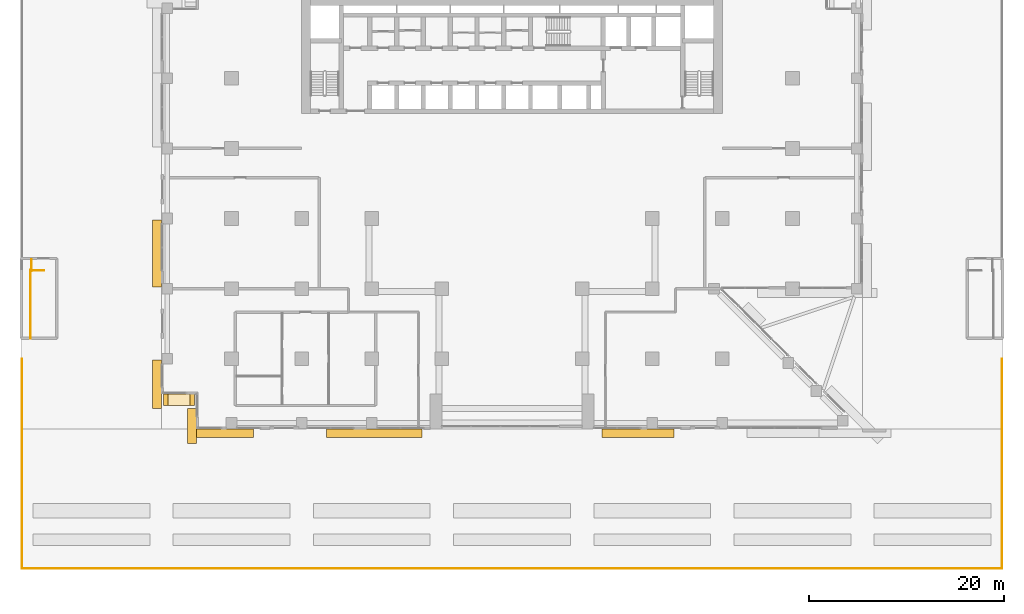
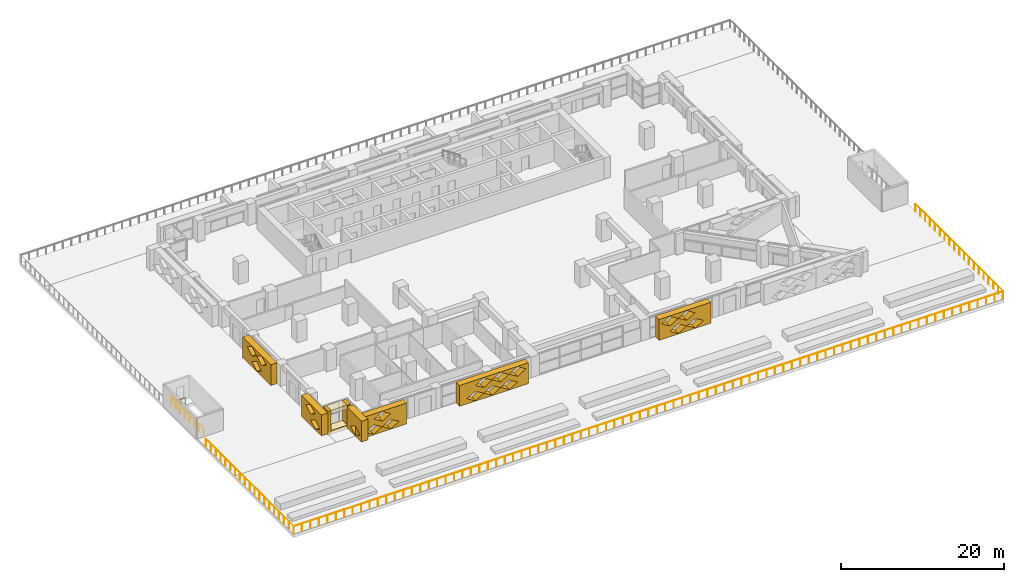
# One storey, part 18 of 24: 10 coverings, 4 railings.
"""IFC4 building model written with IfcOpenShell, lengths in metres."""

from ifc_helpers import new_model, si_unit, direction, frame, origin, origin_2d, place, context, subcontext, project, spatial, polyline, circle, outline, extrude, material, type_object, element, save


model = new_model("IFC4")

# Units and contexts
model_context = context("Model", 3, precision=1e-05, world=origin(), true_north=direction((0.0, 1.0)))
body_context = subcontext(model_context, "Body", "Model", "MODEL_VIEW")
ifc_project = project(units=[si_unit("LENGTHUNIT", "METRE"), si_unit("AREAUNIT", "SQUARE_METRE"), si_unit("VOLUMEUNIT", "CUBIC_METRE"), si_unit("PLANEANGLEUNIT", "RADIAN"), si_unit("MASSUNIT", "GRAM", prefix="KILO")], contexts=[model_context])

# Site, building, storey
site_placement = place(None, origin())
site = spatial("IfcSite", under=ifc_project, at=site_placement, CompositionType="ELEMENT")
building_placement = place(site_placement, origin())
building = spatial("IfcBuilding", under=site, at=building_placement, Name="Saffron Iwan Residences", CompositionType="ELEMENT")
storey_placement = place(building_placement, frame((0.0, 0.0, 27.0)))
storey = spatial("IfcBuildingStorey", under=building, at=storey_placement, Name="L05", CompositionType="ELEMENT", Elevation=27.0)

# Coverings
ifc_material_1 = material(Name="Precast concrete C40/50", Category="concrete")
covering_type_1 = type_object("IfcCoveringType", Name="OUTER SKIN LATTICE SCREEN", PredefinedType="CLADDING", material=ifc_material_1)
covering_1_placement = place(storey_placement, frame((14.39990234375, 55.050048828125, 0.050048828125), z_axis=(-1.0, 0.0, 0.0), x_axis=(0.0, -1.0, 0.0)))
element("IfcCovering", 1, at=covering_1_placement, inside=storey, type_object=covering_type_1, Name="OUTER SKIN lattice screen L05 F8.2", PredefinedType="CLADDING", context=body_context, shape_type="SweptSolid", body=[
    extrude(outline(polyline([(0.0, 0.0), (6.89990234375, 0.0), (6.89990234375, 3.1298828125), (0.0, 3.1298828125), (0.0, 0.0)]), holes=[polyline([(2.27001953125, 0.782470703125), (3.449951171875, 0.06005859375), (4.6298828125, 0.782470703125), (3.449951171875, 1.5048828125), (2.27001953125, 0.782470703125)]), polyline([(1.070068359375, 2.347412109375), (2.25, 1.625), (3.429931640625, 2.347412109375), (2.25, 3.070068359375), (1.070068359375, 2.347412109375)]), polyline([(3.469970703125, 2.347412109375), (4.64990234375, 1.625), (5.830078125, 2.347412109375), (4.64990234375, 3.070068359375), (3.469970703125, 2.347412109375)])]), origin(), (0.0, 0.0, 1.0), 0.89990234375),
])
covering_2_placement = place(storey_placement, frame((14.39990234375, 40.64990234375, 0.050048828125), z_axis=(-1.0, 0.0, 0.0), x_axis=(0.0, -1.0, 0.0)))
element("IfcCovering", 2, at=covering_2_placement, inside=storey, type_object=covering_type_1, Name="OUTER SKIN lattice screen L05 F8.3", PredefinedType="CLADDING", context=body_context, shape_type="SweptSolid", body=[
    extrude(outline(polyline([(0.0, 0.0), (4.949951171875, 0.0), (4.949951171875, 3.1298828125), (0.0, 3.1298828125), (0.0, 0.0)]), holes=[polyline([(2.27001953125, 0.782470703125), (3.449951171875, 0.06005859375), (4.6298828125, 0.782470703125), (3.449951171875, 1.5048828125), (2.27001953125, 0.782470703125)]), polyline([(1.070068359375, 2.347412109375), (2.25, 1.625), (3.429931640625, 2.347412109375), (2.25, 3.070068359375), (1.070068359375, 2.347412109375)])]), origin(), (0.0, 0.0, 1.0), 0.89990234375),
])
covering_3_placement = place(storey_placement, frame((18.0, 35.699951171875, 0.050048828125), z_axis=(-1.0, 0.0, 0.0), x_axis=(0.0, -1.0, 0.0)))
element("IfcCovering", 3, at=covering_3_placement, inside=storey, type_object=covering_type_1, Name="OUTER SKIN lattice screen L05 F10.0", PredefinedType="CLADDING", context=body_context, shape_type="SweptSolid", body=[
    extrude(outline(polyline([(0.0, 0.0), (3.60009765625, 0.0), (3.60009765625, 3.1298828125), (0.0, 3.1298828125), (0.0, 0.0)]), holes=[polyline([(0.919921875, 0.782470703125), (2.10009765625, 0.06005859375), (3.280029296875, 0.782470703125), (2.10009765625, 1.5048828125), (0.919921875, 0.782470703125)])]), origin(), (0.0, 0.0, 1.0), 0.89990234375),
])
covering_4_placement = place(storey_placement, frame((17.10009765625, 33.60009765625, 0.050048828125), z_axis=(0.0, -1.0, 0.0), x_axis=(1.0, 0.0, 0.0)))
element("IfcCovering", 4, at=covering_4_placement, inside=storey, type_object=covering_type_1, Name="OUTER SKIN lattice screen L05 F11.0", PredefinedType="CLADDING", context=body_context, shape_type="SweptSolid", body=[
    extrude(outline(polyline([(0.0, 0.0), (6.75, 0.0), (6.75, 3.1298828125), (0.0, 3.1298828125), (0.0, 0.0)]), holes=[polyline([(0.919921875, 0.782470703125), (2.10009765625, 0.06005859375), (3.280029296875, 0.782470703125), (2.10009765625, 1.5048828125), (0.919921875, 0.782470703125)]), polyline([(3.320068359375, 0.782470703125), (4.5, 0.06005859375), (5.679931640625, 0.782470703125), (4.5, 1.5048828125), (3.320068359375, 0.782470703125)]), polyline([(2.1201171875, 2.347412109375), (3.300048828125, 1.625), (4.47998046875, 2.347412109375), (3.300048828125, 3.070068359375), (2.1201171875, 2.347412109375)])]), origin(), (0.0, 0.0, 1.0), 0.900146484375),
])
covering_5_placement = place(storey_placement, frame((31.35009765625, 33.60009765625, 0.050048828125), z_axis=(0.0, -1.0, 0.0), x_axis=(1.0, 0.0, 0.0)))
element("IfcCovering", 5, at=covering_5_placement, inside=storey, type_object=covering_type_1, Name="OUTER SKIN lattice screen L05 F11.1", PredefinedType="CLADDING", context=body_context, shape_type="SweptSolid", body=[
    extrude(outline(polyline([(0.0, 0.0), (9.800048828125, 0.0), (9.800048828125, 3.1298828125), (0.0, 3.1298828125), (0.0, 0.0)]), holes=[polyline([(1.070068359375, 0.782470703125), (2.25, 0.06005859375), (3.429931640625, 0.782470703125), (2.25, 1.5048828125), (1.070068359375, 0.782470703125)]), polyline([(3.469970703125, 0.782470703125), (4.64990234375, 0.06005859375), (5.830078125, 0.782470703125), (4.64990234375, 1.5048828125), (3.469970703125, 0.782470703125)]), polyline([(5.8701171875, 0.782470703125), (7.050048828125, 0.06005859375), (8.22998046875, 0.782470703125), (7.050048828125, 1.5048828125), (5.8701171875, 0.782470703125)]), polyline([(2.27001953125, 2.347412109375), (3.449951171875, 1.625), (4.6298828125, 2.347412109375), (3.449951171875, 3.070068359375), (2.27001953125, 2.347412109375)]), polyline([(4.669921875, 2.347412109375), (5.85009765625, 1.625), (7.030029296875, 2.347412109375), (5.85009765625, 3.070068359375), (4.669921875, 2.347412109375)]), polyline([(7.070068359375, 2.347412109375), (8.25, 1.625), (9.429931640625, 2.347412109375), (8.25, 3.070068359375), (7.070068359375, 2.347412109375)])]), origin(), (0.0, 0.0, 1.0), 0.900146484375),
])
covering_6_placement = place(storey_placement, frame((59.64990234375, 33.60009765625, 0.050048828125), z_axis=(0.0, -1.0, 0.0), x_axis=(1.0, 0.0, 0.0)))
element("IfcCovering", 6, at=covering_6_placement, inside=storey, type_object=covering_type_1, Name="OUTER SKIN lattice screen L05 F11.2", PredefinedType="CLADDING", context=body_context, shape_type="SweptSolid", body=[
    extrude(outline(polyline([(0.0, 0.0), (7.39990234375, 0.0), (7.39990234375, 3.1298828125), (0.0, 3.1298828125), (0.0, 0.0)]), holes=[polyline([(1.570068359375, 0.782470703125), (2.75, 0.06005859375), (3.929931640625, 0.782470703125), (2.75, 1.5048828125), (1.570068359375, 0.782470703125)]), polyline([(3.969970703125, 0.782470703125), (5.14990234375, 0.06005859375), (6.330078125, 0.782470703125), (5.14990234375, 1.5048828125), (3.969970703125, 0.782470703125)]), polyline([(0.3701171875, 2.347412109375), (1.550048828125, 1.625), (2.72998046875, 2.347412109375), (1.550048828125, 3.070068359375), (0.3701171875, 2.347412109375)]), polyline([(2.77001953125, 2.347412109375), (3.949951171875, 1.625), (5.1298828125, 2.347412109375), (3.949951171875, 3.070068359375), (2.77001953125, 2.347412109375)])]), origin(), (0.0, 0.0, 1.0), 0.900146484375),
])

# Railings
ifc_material_2 = material(Name="Steel S355", Category="steel")
railing_type_1 = type_object("IfcRailingType", Name="Podium stair guard 1150", PredefinedType="GUARDRAIL", material=ifc_material_2)
railing_1_placement = place(storey_placement, frame((1.0, 49.85009765625, 0.0)))
element("IfcRailing", 7, at=railing_1_placement, inside=storey, type_object=railing_type_1, Name="L05 PS1 top well guard 1", PredefinedType="GUARDRAIL", context=body_context, shape_type="SweptSolid", body=[
    extrude(circle(Radius=0.02392578125, at=origin_2d()), frame((0.0, 0.0, 1.1259765625), z_axis=(1.0, 0.0, 0.0), x_axis=(0.0, 1.0, 0.0)), (0.0, 0.0, 1.0), 1.35009765625),
    extrude(circle(Radius=0.02099609375, at=origin_2d()), origin(), (0.0, 0.0, 1.0), 1.101806640625),
    extrude(circle(Radius=0.02099609375, at=origin_2d()), frame((0.675048828125, 0.0, 0.0)), (0.0, 0.0, 1.0), 1.101806640625),
    extrude(circle(Radius=0.02099609375, at=origin_2d()), frame((1.35009765625, 0.0, 0.0)), (0.0, 0.0, 1.0), 1.101806640625),
])
railing_2_placement = place(storey_placement, frame((0.949951171875, 49.89990234375, 0.0)))
element("IfcRailing", 8, at=railing_2_placement, inside=storey, type_object=railing_type_1, Name="L05 PS1 top well guard 2", PredefinedType="GUARDRAIL", context=body_context, shape_type="SweptSolid", body=[
    extrude(circle(Radius=0.02392578125, at=origin_2d()), frame((0.0, 0.0, 1.1259765625), z_axis=(0.0, -1.0, 0.0), x_axis=(1.0, 0.0, 0.0)), (0.0, 0.0, 1.0), 7.0),
    extrude(circle(Radius=0.02099609375, at=origin_2d()), origin(), (0.0, 0.0, 1.0), 1.101806640625),
    extrude(circle(Radius=0.02099609375, at=origin_2d()), frame((0.0, -1.166748046875, 0.0)), (0.0, 0.0, 1.0), 1.101806640625),
    extrude(circle(Radius=0.02099609375, at=origin_2d()), frame((0.0, -2.333251953125, 0.0)), (0.0, 0.0, 1.0), 1.101806640625),
    extrude(circle(Radius=0.02099609375, at=origin_2d()), frame((0.0, -3.5, 0.0)), (0.0, 0.0, 1.0), 1.101806640625),
    extrude(circle(Radius=0.02099609375, at=origin_2d()), frame((0.0, -4.666748046875, 0.0)), (0.0, 0.0, 1.0), 1.101806640625),
    extrude(circle(Radius=0.02099609375, at=origin_2d()), frame((0.0, -5.833251953125, 0.0)), (0.0, 0.0, 1.0), 1.101806640625),
    extrude(circle(Radius=0.02099609375, at=origin_2d()), frame((0.0, -7.0, 0.0)), (0.0, 0.0, 1.0), 1.101806640625),
])
railing_3_placement = place(storey_placement, frame((1.050048828125, 51.0, 0.0)))
element("IfcRailing", 9, at=railing_3_placement, inside=storey, type_object=railing_type_1, Name="L05 PS1 top well guard 3", PredefinedType="GUARDRAIL", context=body_context, shape_type="SweptSolid", body=[
    extrude(circle(Radius=0.02392578125, at=origin_2d()), frame((0.0, 0.0, 1.1259765625), z_axis=(0.0, -1.0, 0.0), x_axis=(1.0, 0.0, 0.0)), (0.0, 0.0, 1.0), 1.199951171875),
    extrude(circle(Radius=0.02099609375, at=origin_2d()), origin(), (0.0, 0.0, 1.0), 1.101806640625),
    extrude(circle(Radius=0.02099609375, at=origin_2d()), frame((0.0, -1.199951171875, 0.0)), (0.0, 0.0, 1.0), 1.101806640625),
])
ifc_material_3 = material(Name="Stainless steel 316", Category="steel")
railing_type_2 = type_object("IfcRailingType", Name="TERRACE GUARD 1150", PredefinedType="BALUSTRADE", material=ifc_material_3)
railing_4_placement = place(storey_placement, frame((100.72509765625, 40.800048828125, 0.050048828125)))
element("IfcRailing", 10, at=railing_4_placement, inside=storey, type_object=railing_type_2, Name="Terrace guard L05 2", PredefinedType="BALUSTRADE", context=body_context, shape_type="SweptSolid", body=[
    extrude(circle(Radius=0.02392578125, at=origin_2d()), frame((0.0, 0.0, 1.1259765625), z_axis=(0.0, -1.0, 0.0), x_axis=(1.0, 0.0, 0.0)), (0.0, 0.0, 1.0), 21.525146484375),
    extrude(circle(Radius=0.02392578125, at=origin_2d()), frame((0.0, -21.525146484375, 1.1259765625), z_axis=(-1.0, 0.0, 0.0), x_axis=(0.0, -1.0, 0.0)), (0.0, 0.0, 1.0), 100.650146484375),
    extrude(circle(Radius=0.02392578125, at=origin_2d()), frame((-100.650146484375, -21.525146484375, 1.1259765625), z_axis=(0.0, 1.0, 0.0), x_axis=(-1.0, 0.0, 0.0)), (0.0, 0.0, 1.0), 21.525146484375),
    extrude(circle(Radius=0.02099609375, at=origin_2d()), origin(), (0.0, 0.0, 1.0), 1.101806640625),
    extrude(circle(Radius=0.02099609375, at=origin_2d()), frame((0.0, -1.19580078125, 0.0)), (0.0, 0.0, 1.0), 1.101806640625),
    extrude(circle(Radius=0.02099609375, at=origin_2d()), frame((0.0, -2.3916015625, 0.0)), (0.0, 0.0, 1.0), 1.101806640625),
    extrude(circle(Radius=0.02099609375, at=origin_2d()), frame((0.0, -3.58740234375, 0.0)), (0.0, 0.0, 1.0), 1.101806640625),
    extrude(circle(Radius=0.02099609375, at=origin_2d()), frame((0.0, -4.783447265625, 0.0)), (0.0, 0.0, 1.0), 1.101806640625),
    extrude(circle(Radius=0.02099609375, at=origin_2d()), frame((0.0, -5.979248046875, 0.0)), (0.0, 0.0, 1.0), 1.101806640625),
    extrude(circle(Radius=0.02099609375, at=origin_2d()), frame((0.0, -7.175048828125, 0.0)), (0.0, 0.0, 1.0), 1.101806640625),
    extrude(circle(Radius=0.02099609375, at=origin_2d()), frame((0.0, -8.370849609375, 0.0)), (0.0, 0.0, 1.0), 1.101806640625),
    extrude(circle(Radius=0.02099609375, at=origin_2d()), frame((0.0, -9.566650390625, 0.0)), (0.0, 0.0, 1.0), 1.101806640625),
    extrude(circle(Radius=0.02099609375, at=origin_2d()), frame((0.0, -10.7626953125, 0.0)), (0.0, 0.0, 1.0), 1.101806640625),
    extrude(circle(Radius=0.02099609375, at=origin_2d()), frame((0.0, -11.95849609375, 0.0)), (0.0, 0.0, 1.0), 1.101806640625),
    extrude(circle(Radius=0.02099609375, at=origin_2d()), frame((0.0, -13.154296875, 0.0)), (0.0, 0.0, 1.0), 1.101806640625),
    extrude(circle(Radius=0.02099609375, at=origin_2d()), frame((0.0, -14.35009765625, 0.0)), (0.0, 0.0, 1.0), 1.101806640625),
    extrude(circle(Radius=0.02099609375, at=origin_2d()), frame((0.0, -15.5458984375, 0.0)), (0.0, 0.0, 1.0), 1.101806640625),
    extrude(circle(Radius=0.02099609375, at=origin_2d()), frame((0.0, -16.74169921875, 0.0)), (0.0, 0.0, 1.0), 1.101806640625),
    extrude(circle(Radius=0.02099609375, at=origin_2d()), frame((0.0, -17.9375, 0.0)), (0.0, 0.0, 1.0), 1.101806640625),
    extrude(circle(Radius=0.02099609375, at=origin_2d()), frame((0.0, -19.133544921875, 0.0)), (0.0, 0.0, 1.0), 1.101806640625),
    extrude(circle(Radius=0.02099609375, at=origin_2d()), frame((0.0, -20.329345703125, 0.0)), (0.0, 0.0, 1.0), 1.101806640625),
    extrude(circle(Radius=0.02099609375, at=origin_2d()), frame((0.0, -21.525146484375, 0.0)), (0.0, 0.0, 1.0), 1.101806640625),
    extrude(circle(Radius=0.02099609375, at=origin_2d()), frame((-1.1982421875, -21.525146484375, 0.0)), (0.0, 0.0, 1.0), 1.101806640625),
    extrude(circle(Radius=0.02099609375, at=origin_2d()), frame((-2.396484375, -21.525146484375, 0.0)), (0.0, 0.0, 1.0), 1.101806640625),
    extrude(circle(Radius=0.02099609375, at=origin_2d()), frame((-3.5947265625, -21.525146484375, 0.0)), (0.0, 0.0, 1.0), 1.101806640625),
    extrude(circle(Radius=0.02099609375, at=origin_2d()), frame((-4.79296875, -21.525146484375, 0.0)), (0.0, 0.0, 1.0), 1.101806640625),
    extrude(circle(Radius=0.02099609375, at=origin_2d()), frame((-5.990966796875, -21.525146484375, 0.0)), (0.0, 0.0, 1.0), 1.101806640625),
    extrude(circle(Radius=0.02099609375, at=origin_2d()), frame((-7.189208984375, -21.525146484375, 0.0)), (0.0, 0.0, 1.0), 1.101806640625),
    extrude(circle(Radius=0.02099609375, at=origin_2d()), frame((-8.387451171875, -21.525146484375, 0.0)), (0.0, 0.0, 1.0), 1.101806640625),
    extrude(circle(Radius=0.02099609375, at=origin_2d()), frame((-9.585693359375, -21.525146484375, 0.0)), (0.0, 0.0, 1.0), 1.101806640625),
    extrude(circle(Radius=0.02099609375, at=origin_2d()), frame((-10.783935546875, -21.525146484375, 0.0)), (0.0, 0.0, 1.0), 1.101806640625),
    extrude(circle(Radius=0.02099609375, at=origin_2d()), frame((-11.982177734375, -21.525146484375, 0.0)), (0.0, 0.0, 1.0), 1.101806640625),
    extrude(circle(Radius=0.02099609375, at=origin_2d()), frame((-13.180419921875, -21.525146484375, 0.0)), (0.0, 0.0, 1.0), 1.101806640625),
    extrude(circle(Radius=0.02099609375, at=origin_2d()), frame((-14.378662109375, -21.525146484375, 0.0)), (0.0, 0.0, 1.0), 1.101806640625),
    extrude(circle(Radius=0.02099609375, at=origin_2d()), frame((-15.576904296875, -21.525146484375, 0.0)), (0.0, 0.0, 1.0), 1.101806640625),
    extrude(circle(Radius=0.02099609375, at=origin_2d()), frame((-16.77490234375, -21.525146484375, 0.0)), (0.0, 0.0, 1.0), 1.101806640625),
    extrude(circle(Radius=0.02099609375, at=origin_2d()), frame((-17.97314453125, -21.525146484375, 0.0)), (0.0, 0.0, 1.0), 1.101806640625),
    extrude(circle(Radius=0.02099609375, at=origin_2d()), frame((-19.17138671875, -21.525146484375, 0.0)), (0.0, 0.0, 1.0), 1.101806640625),
    extrude(circle(Radius=0.02099609375, at=origin_2d()), frame((-20.36962890625, -21.525146484375, 0.0)), (0.0, 0.0, 1.0), 1.101806640625),
    extrude(circle(Radius=0.02099609375, at=origin_2d()), frame((-21.56787109375, -21.525146484375, 0.0)), (0.0, 0.0, 1.0), 1.101806640625),
    extrude(circle(Radius=0.02099609375, at=origin_2d()), frame((-22.76611328125, -21.525146484375, 0.0)), (0.0, 0.0, 1.0), 1.101806640625),
    extrude(circle(Radius=0.02099609375, at=origin_2d()), frame((-23.96435546875, -21.525146484375, 0.0)), (0.0, 0.0, 1.0), 1.101806640625),
    extrude(circle(Radius=0.02099609375, at=origin_2d()), frame((-25.16259765625, -21.525146484375, 0.0)), (0.0, 0.0, 1.0), 1.101806640625),
    extrude(circle(Radius=0.02099609375, at=origin_2d()), frame((-26.36083984375, -21.525146484375, 0.0)), (0.0, 0.0, 1.0), 1.101806640625),
    extrude(circle(Radius=0.02099609375, at=origin_2d()), frame((-27.55908203125, -21.525146484375, 0.0)), (0.0, 0.0, 1.0), 1.101806640625),
    extrude(circle(Radius=0.02099609375, at=origin_2d()), frame((-28.757080078125, -21.525146484375, 0.0)), (0.0, 0.0, 1.0), 1.101806640625),
    extrude(circle(Radius=0.02099609375, at=origin_2d()), frame((-29.955322265625, -21.525146484375, 0.0)), (0.0, 0.0, 1.0), 1.101806640625),
    extrude(circle(Radius=0.02099609375, at=origin_2d()), frame((-31.153564453125, -21.525146484375, 0.0)), (0.0, 0.0, 1.0), 1.101806640625),
    extrude(circle(Radius=0.02099609375, at=origin_2d()), frame((-32.351806640625, -21.525146484375, 0.0)), (0.0, 0.0, 1.0), 1.101806640625),
    extrude(circle(Radius=0.02099609375, at=origin_2d()), frame((-33.550048828125, -21.525146484375, 0.0)), (0.0, 0.0, 1.0), 1.101806640625),
    extrude(circle(Radius=0.02099609375, at=origin_2d()), frame((-34.748291015625, -21.525146484375, 0.0)), (0.0, 0.0, 1.0), 1.101806640625),
    extrude(circle(Radius=0.02099609375, at=origin_2d()), frame((-35.946533203125, -21.525146484375, 0.0)), (0.0, 0.0, 1.0), 1.101806640625),
    extrude(circle(Radius=0.02099609375, at=origin_2d()), frame((-37.144775390625, -21.525146484375, 0.0)), (0.0, 0.0, 1.0), 1.101806640625),
    extrude(circle(Radius=0.02099609375, at=origin_2d()), frame((-38.343017578125, -21.525146484375, 0.0)), (0.0, 0.0, 1.0), 1.101806640625),
    extrude(circle(Radius=0.02099609375, at=origin_2d()), frame((-39.541015625, -21.525146484375, 0.0)), (0.0, 0.0, 1.0), 1.101806640625),
    extrude(circle(Radius=0.02099609375, at=origin_2d()), frame((-40.7392578125, -21.525146484375, 0.0)), (0.0, 0.0, 1.0), 1.101806640625),
    extrude(circle(Radius=0.02099609375, at=origin_2d()), frame((-41.9375, -21.525146484375, 0.0)), (0.0, 0.0, 1.0), 1.101806640625),
    extrude(circle(Radius=0.02099609375, at=origin_2d()), frame((-43.1357421875, -21.525146484375, 0.0)), (0.0, 0.0, 1.0), 1.101806640625),
    extrude(circle(Radius=0.02099609375, at=origin_2d()), frame((-44.333984375, -21.525146484375, 0.0)), (0.0, 0.0, 1.0), 1.101806640625),
    extrude(circle(Radius=0.02099609375, at=origin_2d()), frame((-45.5322265625, -21.525146484375, 0.0)), (0.0, 0.0, 1.0), 1.101806640625),
    extrude(circle(Radius=0.02099609375, at=origin_2d()), frame((-46.73046875, -21.525146484375, 0.0)), (0.0, 0.0, 1.0), 1.101806640625),
    extrude(circle(Radius=0.02099609375, at=origin_2d()), frame((-47.9287109375, -21.525146484375, 0.0)), (0.0, 0.0, 1.0), 1.101806640625),
    extrude(circle(Radius=0.02099609375, at=origin_2d()), frame((-49.126953125, -21.525146484375, 0.0)), (0.0, 0.0, 1.0), 1.101806640625),
    extrude(circle(Radius=0.02099609375, at=origin_2d()), frame((-50.3251953125, -21.525146484375, 0.0)), (0.0, 0.0, 1.0), 1.101806640625),
    extrude(circle(Radius=0.02099609375, at=origin_2d()), frame((-51.523193359375, -21.525146484375, 0.0)), (0.0, 0.0, 1.0), 1.101806640625),
    extrude(circle(Radius=0.02099609375, at=origin_2d()), frame((-52.721435546875, -21.525146484375, 0.0)), (0.0, 0.0, 1.0), 1.101806640625),
    extrude(circle(Radius=0.02099609375, at=origin_2d()), frame((-53.919677734375, -21.525146484375, 0.0)), (0.0, 0.0, 1.0), 1.101806640625),
    extrude(circle(Radius=0.02099609375, at=origin_2d()), frame((-55.117919921875, -21.525146484375, 0.0)), (0.0, 0.0, 1.0), 1.101806640625),
    extrude(circle(Radius=0.02099609375, at=origin_2d()), frame((-56.316162109375, -21.525146484375, 0.0)), (0.0, 0.0, 1.0), 1.101806640625),
    extrude(circle(Radius=0.02099609375, at=origin_2d()), frame((-57.514404296875, -21.525146484375, 0.0)), (0.0, 0.0, 1.0), 1.101806640625),
    extrude(circle(Radius=0.02099609375, at=origin_2d()), frame((-58.712646484375, -21.525146484375, 0.0)), (0.0, 0.0, 1.0), 1.101806640625),
    extrude(circle(Radius=0.02099609375, at=origin_2d()), frame((-59.910888671875, -21.525146484375, 0.0)), (0.0, 0.0, 1.0), 1.101806640625),
    extrude(circle(Radius=0.02099609375, at=origin_2d()), frame((-61.109130859375, -21.525146484375, 0.0)), (0.0, 0.0, 1.0), 1.101806640625),
    extrude(circle(Radius=0.02099609375, at=origin_2d()), frame((-62.30712890625, -21.525146484375, 0.0)), (0.0, 0.0, 1.0), 1.101806640625),
    extrude(circle(Radius=0.02099609375, at=origin_2d()), frame((-63.50537109375, -21.525146484375, 0.0)), (0.0, 0.0, 1.0), 1.101806640625),
    extrude(circle(Radius=0.02099609375, at=origin_2d()), frame((-64.70361328125, -21.525146484375, 0.0)), (0.0, 0.0, 1.0), 1.101806640625),
    extrude(circle(Radius=0.02099609375, at=origin_2d()), frame((-65.90185546875, -21.525146484375, 0.0)), (0.0, 0.0, 1.0), 1.101806640625),
    extrude(circle(Radius=0.02099609375, at=origin_2d()), frame((-67.10009765625, -21.525146484375, 0.0)), (0.0, 0.0, 1.0), 1.101806640625),
    extrude(circle(Radius=0.02099609375, at=origin_2d()), frame((-68.29833984375, -21.525146484375, 0.0)), (0.0, 0.0, 1.0), 1.101806640625),
    extrude(circle(Radius=0.02099609375, at=origin_2d()), frame((-69.49658203125, -21.525146484375, 0.0)), (0.0, 0.0, 1.0), 1.101806640625),
    extrude(circle(Radius=0.02099609375, at=origin_2d()), frame((-70.69482421875, -21.525146484375, 0.0)), (0.0, 0.0, 1.0), 1.101806640625),
    extrude(circle(Radius=0.02099609375, at=origin_2d()), frame((-71.89306640625, -21.525146484375, 0.0)), (0.0, 0.0, 1.0), 1.101806640625),
    extrude(circle(Radius=0.02099609375, at=origin_2d()), frame((-73.091064453125, -21.525146484375, 0.0)), (0.0, 0.0, 1.0), 1.101806640625),
    extrude(circle(Radius=0.02099609375, at=origin_2d()), frame((-74.289306640625, -21.525146484375, 0.0)), (0.0, 0.0, 1.0), 1.101806640625),
    extrude(circle(Radius=0.02099609375, at=origin_2d()), frame((-75.487548828125, -21.525146484375, 0.0)), (0.0, 0.0, 1.0), 1.101806640625),
    extrude(circle(Radius=0.02099609375, at=origin_2d()), frame((-76.685791015625, -21.525146484375, 0.0)), (0.0, 0.0, 1.0), 1.101806640625),
    extrude(circle(Radius=0.02099609375, at=origin_2d()), frame((-77.884033203125, -21.525146484375, 0.0)), (0.0, 0.0, 1.0), 1.101806640625),
    extrude(circle(Radius=0.02099609375, at=origin_2d()), frame((-79.082275390625, -21.525146484375, 0.0)), (0.0, 0.0, 1.0), 1.101806640625),
    extrude(circle(Radius=0.02099609375, at=origin_2d()), frame((-80.280517578125, -21.525146484375, 0.0)), (0.0, 0.0, 1.0), 1.101806640625),
    extrude(circle(Radius=0.02099609375, at=origin_2d()), frame((-81.478759765625, -21.525146484375, 0.0)), (0.0, 0.0, 1.0), 1.101806640625),
    extrude(circle(Radius=0.02099609375, at=origin_2d()), frame((-82.677001953125, -21.525146484375, 0.0)), (0.0, 0.0, 1.0), 1.101806640625),
    extrude(circle(Radius=0.02099609375, at=origin_2d()), frame((-83.875, -21.525146484375, 0.0)), (0.0, 0.0, 1.0), 1.101806640625),
    extrude(circle(Radius=0.02099609375, at=origin_2d()), frame((-85.0732421875, -21.525146484375, 0.0)), (0.0, 0.0, 1.0), 1.101806640625),
    extrude(circle(Radius=0.02099609375, at=origin_2d()), frame((-86.271484375, -21.525146484375, 0.0)), (0.0, 0.0, 1.0), 1.101806640625),
    extrude(circle(Radius=0.02099609375, at=origin_2d()), frame((-87.4697265625, -21.525146484375, 0.0)), (0.0, 0.0, 1.0), 1.101806640625),
    extrude(circle(Radius=0.02099609375, at=origin_2d()), frame((-88.66796875, -21.525146484375, 0.0)), (0.0, 0.0, 1.0), 1.101806640625),
    extrude(circle(Radius=0.02099609375, at=origin_2d()), frame((-89.8662109375, -21.525146484375, 0.0)), (0.0, 0.0, 1.0), 1.101806640625),
    extrude(circle(Radius=0.02099609375, at=origin_2d()), frame((-91.064453125, -21.525146484375, 0.0)), (0.0, 0.0, 1.0), 1.101806640625),
    extrude(circle(Radius=0.02099609375, at=origin_2d()), frame((-92.2626953125, -21.525146484375, 0.0)), (0.0, 0.0, 1.0), 1.101806640625),
    extrude(circle(Radius=0.02099609375, at=origin_2d()), frame((-93.4609375, -21.525146484375, 0.0)), (0.0, 0.0, 1.0), 1.101806640625),
    extrude(circle(Radius=0.02099609375, at=origin_2d()), frame((-94.6591796875, -21.525146484375, 0.0)), (0.0, 0.0, 1.0), 1.101806640625),
    extrude(circle(Radius=0.02099609375, at=origin_2d()), frame((-95.857177734375, -21.525146484375, 0.0)), (0.0, 0.0, 1.0), 1.101806640625),
    extrude(circle(Radius=0.02099609375, at=origin_2d()), frame((-97.055419921875, -21.525146484375, 0.0)), (0.0, 0.0, 1.0), 1.101806640625),
    extrude(circle(Radius=0.02099609375, at=origin_2d()), frame((-98.253662109375, -21.525146484375, 0.0)), (0.0, 0.0, 1.0), 1.101806640625),
    extrude(circle(Radius=0.02099609375, at=origin_2d()), frame((-99.451904296875, -21.525146484375, 0.0)), (0.0, 0.0, 1.0), 1.101806640625),
    extrude(circle(Radius=0.02099609375, at=origin_2d()), frame((-100.650146484375, -21.525146484375, 0.0)), (0.0, 0.0, 1.0), 1.101806640625),
    extrude(circle(Radius=0.02099609375, at=origin_2d()), frame((-100.650146484375, -20.329345703125, 0.0)), (0.0, 0.0, 1.0), 1.101806640625),
    extrude(circle(Radius=0.02099609375, at=origin_2d()), frame((-100.650146484375, -19.133544921875, 0.0)), (0.0, 0.0, 1.0), 1.101806640625),
    extrude(circle(Radius=0.02099609375, at=origin_2d()), frame((-100.650146484375, -17.9375, 0.0)), (0.0, 0.0, 1.0), 1.101806640625),
    extrude(circle(Radius=0.02099609375, at=origin_2d()), frame((-100.650146484375, -16.74169921875, 0.0)), (0.0, 0.0, 1.0), 1.101806640625),
    extrude(circle(Radius=0.02099609375, at=origin_2d()), frame((-100.650146484375, -15.5458984375, 0.0)), (0.0, 0.0, 1.0), 1.101806640625),
    extrude(circle(Radius=0.02099609375, at=origin_2d()), frame((-100.650146484375, -14.35009765625, 0.0)), (0.0, 0.0, 1.0), 1.101806640625),
    extrude(circle(Radius=0.02099609375, at=origin_2d()), frame((-100.650146484375, -13.154296875, 0.0)), (0.0, 0.0, 1.0), 1.101806640625),
    extrude(circle(Radius=0.02099609375, at=origin_2d()), frame((-100.650146484375, -11.95849609375, 0.0)), (0.0, 0.0, 1.0), 1.101806640625),
    extrude(circle(Radius=0.02099609375, at=origin_2d()), frame((-100.650146484375, -10.7626953125, 0.0)), (0.0, 0.0, 1.0), 1.101806640625),
    extrude(circle(Radius=0.02099609375, at=origin_2d()), frame((-100.650146484375, -9.566650390625, 0.0)), (0.0, 0.0, 1.0), 1.101806640625),
    extrude(circle(Radius=0.02099609375, at=origin_2d()), frame((-100.650146484375, -8.370849609375, 0.0)), (0.0, 0.0, 1.0), 1.101806640625),
    extrude(circle(Radius=0.02099609375, at=origin_2d()), frame((-100.650146484375, -7.175048828125, 0.0)), (0.0, 0.0, 1.0), 1.101806640625),
    extrude(circle(Radius=0.02099609375, at=origin_2d()), frame((-100.650146484375, -5.979248046875, 0.0)), (0.0, 0.0, 1.0), 1.101806640625),
    extrude(circle(Radius=0.02099609375, at=origin_2d()), frame((-100.650146484375, -4.783447265625, 0.0)), (0.0, 0.0, 1.0), 1.101806640625),
    extrude(circle(Radius=0.02099609375, at=origin_2d()), frame((-100.650146484375, -3.58740234375, 0.0)), (0.0, 0.0, 1.0), 1.101806640625),
    extrude(circle(Radius=0.02099609375, at=origin_2d()), frame((-100.650146484375, -2.3916015625, 0.0)), (0.0, 0.0, 1.0), 1.101806640625),
    extrude(circle(Radius=0.02099609375, at=origin_2d()), frame((-100.650146484375, -1.19580078125, 0.0)), (0.0, 0.0, 1.0), 1.101806640625),
    extrude(circle(Radius=0.02099609375, at=origin_2d()), frame((-100.650146484375, 0.0, 0.0)), (0.0, 0.0, 1.0), 1.101806640625),
])

# Coverings
ifc_material_4 = material(Name="Precast concrete C40/50 white painted", Category="concrete")
covering_type_2 = type_object("IfcCoveringType", Name="WHITE SUN FRAME PRECAST", PredefinedType="CLADDING", material=ifc_material_4)
for number, where, z_axis, x_axis, name in (
    (11, (14.60009765625, 37.199951171875, -0.449951171875), (0.0, -1.0, 0.0), (1.0, 0.0, 0.0), "Sun frame L05 F9 0.2a"),
    (12, (17.35009765625, 37.199951171875, -0.449951171875), (0.0, -1.0, 0.0), (1.0, 0.0, 0.0), "Sun frame L05 F9 0.2b"),
):
    element("IfcCovering", number, at=place(storey_placement, frame(where, z_axis=z_axis, x_axis=x_axis)), inside=storey, type_object=covering_type_2, Name=name, PredefinedType="CLADDING", context=body_context, shape_type="SweptSolid", body=[
        extrude(outline(polyline([(0.0, 0.0), (0.449951171875, 0.0), (0.449951171875, 3.6298828125), (0.0, 3.6298828125), (0.0, 0.0)])), origin(), (0.0, 0.0, 1.0), 1.199951171875),
    ])
for number, where, z_axis, x_axis, name in (
    (13, (15.050048828125, 37.199951171875, 2.580078125), (0.0, -1.0, 0.0), (1.0, 0.0, 0.0), "Sun frame L05 F9 0.2h"),
    (14, (15.050048828125, 37.199951171875, -0.449951171875), (0.0, -1.0, 0.0), (1.0, 0.0, 0.0), "Sun frame L05 F9 0.2s"),
):
    element("IfcCovering", number, at=place(storey_placement, frame(where, z_axis=z_axis, x_axis=x_axis)), inside=storey, type_object=covering_type_2, Name=name, PredefinedType="CLADDING", context=body_context, shape_type="SweptSolid", body=[
        extrude(outline(polyline([(0.0, 0.0), (2.300048828125, 0.0), (2.300048828125, 0.60009765625), (0.0, 0.60009765625), (0.0, 0.0)])), origin(), (0.0, 0.0, 1.0), 1.199951171875),
    ])

save(model, "model.ifc")
